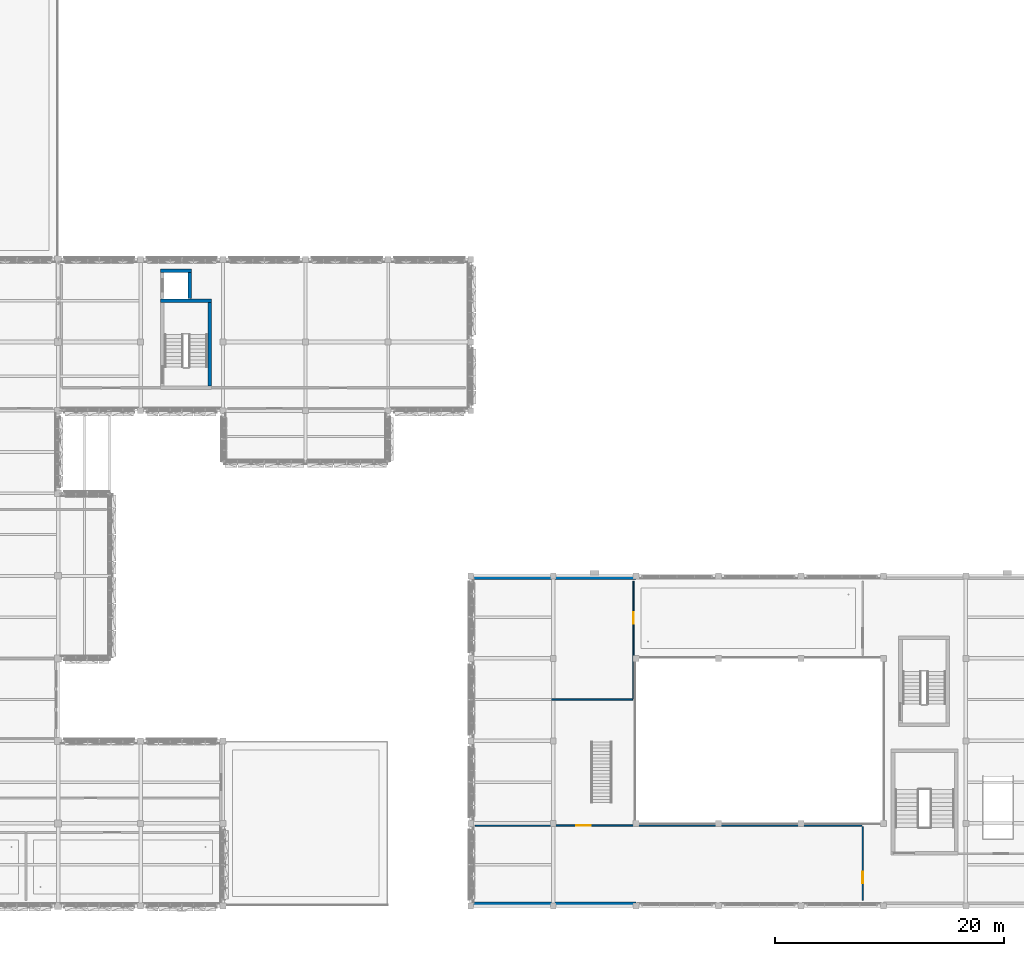
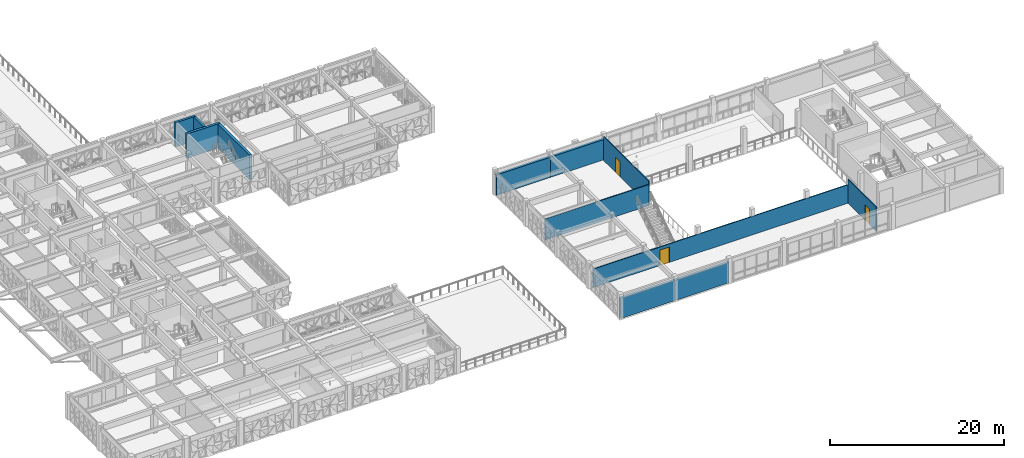
# One storey, part 52 of 99: 12 walls, 3 doors, 3 openings.
"""IFC4 building model written with IfcOpenShell, lengths in metres."""

from ifc_helpers import new_model, si_unit, direction, frame, frame_2d, origin, place, context, subcontext, project, spatial, rectangle, extrude, material, layer, layer_set, type_object, element, fill, save


model = new_model("IFC4")

# Units and contexts
model_context = context("Model", 3, precision=1e-05, world=origin(), true_north=direction((0.0, 1.0)))
body_context = subcontext(model_context, "Body", "Model", "MODEL_VIEW")
ifc_project = project(units=[si_unit("LENGTHUNIT", "METRE"), si_unit("AREAUNIT", "SQUARE_METRE"), si_unit("VOLUMEUNIT", "CUBIC_METRE"), si_unit("PLANEANGLEUNIT", "RADIAN"), si_unit("MASSUNIT", "GRAM", prefix="KILO")], contexts=[model_context])

# Site, building, storey
site_placement = place(None, origin())
site = spatial("IfcSite", under=ifc_project, at=site_placement, CompositionType="ELEMENT")
building_placement = place(site_placement, origin())
building = spatial("IfcBuilding", under=site, at=building_placement, Name="Alvorim Cloister Faculty of Sciences", CompositionType="ELEMENT")
storey_placement = place(building_placement, frame((0.0, 0.0, 12.14990234375)))
storey = spatial("IfcBuildingStorey", under=building, at=storey_placement, Name="L03", CompositionType="ELEMENT", Elevation=12.14990234375)

# Walls
ifc_material_1 = material(Name="Precast Concrete C40", Category="concrete")
ifc_layer_1 = layer(ifc_material_1, 0.320068359375)
ifc_layer_set_1 = layer_set([ifc_layer_1], Name="Precast Concrete C40")
wall_type_1 = type_object("IfcWallType", Name="WL-EXT-PC-320", PredefinedType="SOLIDWALL", material=ifc_layer_set_1)
for number, where, z_axis, x_axis, name in (
    (1, (72.0, 0.159912109375, 0.0), (0.0, 0.0, 1.0), (1.0, 0.0, 0.0), "L03 Exterior Wall WL-0203"),
    (2, (64.800048828125, 0.159912109375, 0.0), (0.0, 0.0, 1.0), (1.0, 0.0, 0.0), "L03 Exterior Wall WL-0204"),
    (3, (64.800048828125, 28.639892578125, 0.0), (0.0, 0.0, 1.0), (1.0, 0.0, 0.0), "L03 Exterior Wall WL-0205"),
    (4, (72.0, 28.639892578125, 0.0), (0.0, 0.0, 1.0), (1.0, 0.0, 0.0), "L03 Exterior Wall WL-0206"),
):
    element("IfcWall", number, at=place(storey_placement, frame(where, z_axis=z_axis, x_axis=x_axis)), inside=storey, type_object=wall_type_1, Name=name, PredefinedType="SOLIDWALL", context=body_context, shape_type="SweptSolid", body=[
        extrude(rectangle(XDim=7.199951171875, YDim=0.320068359375, at=frame_2d((3.60009765625, 0.0))), origin(), (0.0, 0.0, 1.0), 2.840087890625),
    ])

# Wall, opening, door
ifc_material_2 = material(Name="Acoustic Gypsum Stud Partition", Category="gypsum")
ifc_layer_2 = layer(ifc_material_2, 0.1201171875)
ifc_layer_set_2 = layer_set([ifc_layer_2], Name="Acoustic Gypsum Stud Partition")
wall_type_2 = type_object("IfcWallType", Name="WL-PRT-120", PredefinedType="PARTITIONING", material=ifc_layer_set_2)
wall_1_placement = place(storey_placement, frame((99.0, 0.47998046875, 0.0), z_axis=(0.0, 0.0, 1.0), x_axis=(0.0, 1.0, 0.0)))
wall_1 = element("IfcWall", 5, at=wall_1_placement, inside=storey, type_object=wall_type_2, Name="L03 Atrium South Faculty Offices Partition IWL-0608", PredefinedType="PARTITIONING", context=body_context, shape_type="SweptSolid", body=[
    extrude(rectangle(XDim=6.43994140625, YDim=0.1201171875, at=frame_2d((3.219970703125, 0.0))), origin(), (0.0, 0.0, 1.0), 3.375),
])
opening_1_placement = place(wall_1_placement, frame((1.509033203125, 0.0, 0.0)))
opening_1 = element("IfcOpeningElement", 6, at=opening_1_placement, cuts=wall_1, Name="Opening D-L03-160", PredefinedType="OPENING", context=body_context, shape_type="SweptSolid", body=[
    extrude(rectangle(XDim=1.0, YDim=2.14990234375, at=frame_2d((0.5, 1.074951171875))), frame((0.0, 0.072021484375, 0.0), z_axis=(0.0, -1.0, 0.0), x_axis=(1.0, 0.0, 0.0)), (0.0, 0.0, 1.0), 0.14404296875),
])
ifc_material_3 = material(Name="Solid Acoustic Oak Timber", Category="wood")
door_type_1 = type_object("IfcDoorType", Name="DR-OFF-1000x2150", OperationType="NOTDEFINED", PredefinedType="DOOR", material=ifc_material_3)
door_1_placement = place(opening_1_placement, origin())
door_1 = element("IfcDoor", 7, at=door_1_placement, inside=storey, type_object=door_type_1, Name="Atrium South Faculty Offices Door D-L03-160", OperationType="SINGLE_SWING_RIGHT", OverallHeight=2.14990234375, OverallWidth=1.0, PredefinedType="DOOR", context=body_context, shape_type="SweptSolid", body=[
    extrude(rectangle(XDim=1.0, YDim=2.14990234375, at=frame_2d((0.5, 1.074951171875))), frame((0.0, 0.02490234375, 0.0), z_axis=(0.0, -1.0, 0.0), x_axis=(1.0, 0.0, 0.0)), (0.0, 0.0, 1.0), 0.050048828125),
])
fill(opening_1, door_1)

wall_2_placement = place(storey_placement, frame((65.179931640625, 7.0, 0.0), z_axis=(0.0, 0.0, 1.0), x_axis=(1.0, 0.0, 0.0)))
wall_2 = element("IfcWall", 8, at=wall_2_placement, inside=storey, type_object=wall_type_2, Name="L03 Atrium South Faculty Offices Partition IWL-0609", PredefinedType="PARTITIONING", context=body_context, shape_type="SweptSolid", body=[
    extrude(rectangle(XDim=33.739990234375, YDim=0.1201171875, at=frame_2d((16.8701171875, 0.0))), origin(), (0.0, 0.0, 1.0), 2.59521484375),
])
opening_2_placement = place(wall_2_placement, frame((8.847412109375, 0.0, 0.0)))
opening_2 = element("IfcOpeningElement", 9, at=opening_2_placement, cuts=wall_2, Name="Opening D-L03-161", PredefinedType="OPENING", context=body_context, shape_type="SweptSolid", body=[
    extrude(rectangle(XDim=1.260009765625, YDim=2.179931640625, at=frame_2d((0.6298828125, 1.08984375))), frame((0.0, 0.072021484375, 0.0), z_axis=(0.0, -1.0, 0.0), x_axis=(1.0, 0.0, 0.0)), (0.0, 0.0, 1.0), 0.14404296875),
])
door_type_2 = type_object("IfcDoorType", Name="DR-SEM-1260x2180", OperationType="NOTDEFINED", PredefinedType="DOOR", material=ifc_material_3)
door_2_placement = place(opening_2_placement, origin())
door_2 = element("IfcDoor", 10, at=door_2_placement, inside=storey, type_object=door_type_2, Name="Atrium West Seminar Suite 305 Door D-L03-161", OperationType="SINGLE_SWING_LEFT", OverallHeight=2.179931640625, OverallWidth=1.260009765625, PredefinedType="DOOR", context=body_context, shape_type="SweptSolid", body=[
    extrude(rectangle(XDim=1.260009765625, YDim=2.179931640625, at=frame_2d((0.6298828125, 1.08984375))), frame((0.0, 0.02490234375, 0.0), z_axis=(0.0, -1.0, 0.0), x_axis=(1.0, 0.0, 0.0)), (0.0, 0.0, 1.0), 0.050048828125),
])
fill(opening_2, door_2)

# Wall
wall_3_placement = place(storey_placement, frame((65.179931640625, 18.0, 0.0), z_axis=(0.0, 0.0, 1.0), x_axis=(1.0, 0.0, 0.0)))
element("IfcWall", 11, at=wall_3_placement, inside=storey, type_object=wall_type_2, Name="L03 Atrium West Seminar Suite 305 Partition IWL-0610", PredefinedType="PARTITIONING", context=body_context, shape_type="SweptSolid", body=[
    extrude(rectangle(XDim=13.739990234375, YDim=0.1201171875, at=frame_2d((6.8701171875, 0.0))), origin(), (0.0, 0.0, 1.0), 2.955078125),
])

# Wall, opening, door
wall_4_placement = place(storey_placement, frame((79.0, 18.080078125, 0.0), z_axis=(0.0, 0.0, 1.0), x_axis=(0.0, 1.0, 0.0)))
wall_4 = element("IfcWall", 12, at=wall_4_placement, inside=storey, type_object=wall_type_2, Name="L03 Visiting Fellows Offices Partition IWL-0611", PredefinedType="PARTITIONING", context=body_context, shape_type="SweptSolid", body=[
    extrude(rectangle(XDim=10.239990234375, YDim=0.1201171875, at=frame_2d((5.1201171875, 0.0))), origin(), (0.0, 0.0, 1.0), 3.375),
])
opening_3_placement = place(wall_4_placement, frame((6.55712890625, 0.0, 0.0)))
opening_3 = element("IfcOpeningElement", 13, at=opening_3_placement, cuts=wall_4, Name="Opening D-L03-162", PredefinedType="OPENING", context=body_context, shape_type="SweptSolid", body=[
    extrude(rectangle(XDim=1.0, YDim=2.14990234375, at=frame_2d((0.5, 1.074951171875))), frame((0.0, 0.072021484375, 0.0), z_axis=(0.0, -1.0, 0.0), x_axis=(1.0, 0.0, 0.0)), (0.0, 0.0, 1.0), 0.14404296875),
])
door_3_placement = place(opening_3_placement, origin())
door_3 = element("IfcDoor", 14, at=door_3_placement, inside=storey, type_object=door_type_1, Name="Visiting Fellows Offices Door D-L03-162", OperationType="SINGLE_SWING_RIGHT", OverallHeight=2.14990234375, OverallWidth=1.0, PredefinedType="DOOR", context=body_context, shape_type="SweptSolid", body=[
    extrude(rectangle(XDim=1.0, YDim=2.14990234375, at=frame_2d((0.5, 1.074951171875))), frame((0.0, 0.02490234375, 0.0), z_axis=(0.0, -1.0, 0.0), x_axis=(1.0, 0.0, 0.0)), (0.0, 0.0, 1.0), 0.050048828125),
])
fill(opening_3, door_3)

# Walls
ifc_material_4 = material(Name="Concrete C40", Category="concrete")
ifc_layer_3 = layer(ifc_material_4, 0.300048828125)
ifc_layer_set_3 = layer_set([ifc_layer_3], Name="Concrete C40")
wall_type_3 = type_object("IfcWallType", Name="WL-SHR-300", PredefinedType="SHEAR", material=ifc_layer_set_3)
wall_5_placement = place(storey_placement, frame((37.75, 55.39990234375, 0.0), z_axis=(0.0, 0.0, 1.0), x_axis=(1.0, 0.0, 0.0)))
element("IfcWall", 15, at=wall_5_placement, inside=storey, type_object=wall_type_3, Name="L03 Lift LP-04 Shaft Wall IWL-0350", PredefinedType="SHEAR", context=body_context, shape_type="SweptSolid", body=[
    extrude(rectangle(XDim=2.699951171875, YDim=0.300048828125, at=frame_2d((1.35009765625, 0.0))), origin(), (0.0, 0.0, 1.0), 3.39013671875),
])
wall_6_placement = place(storey_placement, frame((40.300048828125, 52.97998046875, 0.0), z_axis=(0.0, 0.0, 1.0), x_axis=(0.0, 1.0, 0.0)))
element("IfcWall", 16, at=wall_6_placement, inside=storey, type_object=wall_type_3, Name="L03 Lift LP-04 Shaft Wall IWL-0352", PredefinedType="SHEAR", context=body_context, shape_type="SweptSolid", body=[
    extrude(rectangle(XDim=2.27001953125, YDim=0.300048828125, at=frame_2d((1.135009765625, 0.0))), origin(), (0.0, 0.0, 1.0), 3.39013671875),
])
ifc_layer_4 = layer(ifc_material_4, 0.320068359375)
ifc_layer_set_4 = layer_set([ifc_layer_4], Name="Concrete C40")
wall_type_4 = type_object("IfcWallType", Name="WL-SHR-320", PredefinedType="SHEAR", material=ifc_layer_set_4)
wall_7_placement = place(storey_placement, frame((37.739990234375, 52.800048828125, 0.0), z_axis=(0.0, 0.0, 1.0), x_axis=(1.0, 0.0, 0.0)))
element("IfcWall", 17, at=wall_7_placement, inside=storey, type_object=wall_type_4, Name="L03 CORE K4 Shear Wall IWL-0146", PredefinedType="SHEAR", context=body_context, shape_type="SweptSolid", body=[
    extrude(rectangle(XDim=4.43994140625, YDim=0.320068359375, at=frame_2d((2.219970703125, 0.0))), origin(), (0.0, 0.0, 1.0), 3.39013671875),
])
wall_8_placement = place(storey_placement, frame((42.02001953125, 45.360107421875, 0.0), z_axis=(0.0, 0.0, 1.0), x_axis=(0.0, 1.0, 0.0)))
element("IfcWall", 18, at=wall_8_placement, inside=storey, type_object=wall_type_4, Name="L03 CORE K4 Shear Wall IWL-0148", PredefinedType="SHEAR", context=body_context, shape_type="SweptSolid", body=[
    extrude(rectangle(XDim=7.27978515625, YDim=0.320068359375, at=frame_2d((3.639892578125, 0.0))), origin(), (0.0, 0.0, 1.0), 3.39013671875),
])

save(model, "model.ifc")
